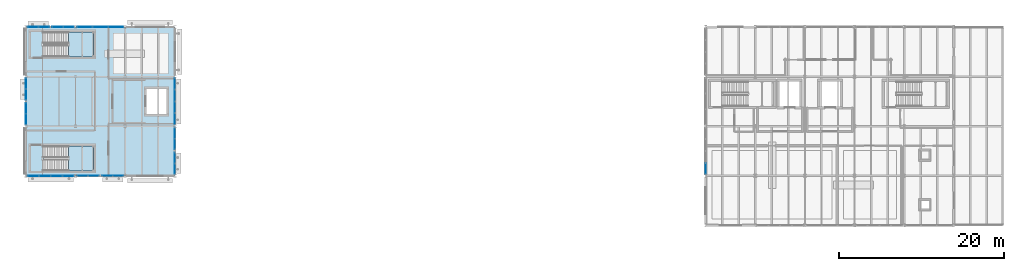
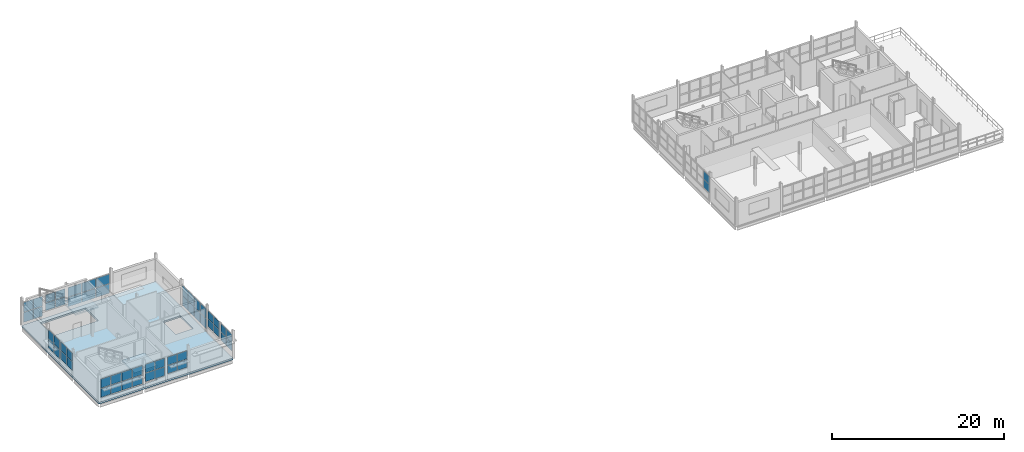
# One storey, part 12 of 23: 56 plates, 3 slabs, 14 elements without a shape of their own.
"""IFC4 building model written with IfcOpenShell, lengths in metres."""

from ifc_helpers import new_model, si_unit, direction, frame, origin, origin_2d, place, context, subcontext, project, spatial, polyline, rectangle, outline, extrude, material, layer, layer_set, type_object, element, aggregate, save


model = new_model("IFC4")

# Units and contexts
model_context = context("Model", 3, precision=1e-05, world=origin(), true_north=direction((0.0, 1.0)))
body_context = subcontext(model_context, "Body", "Model", "MODEL_VIEW")
ifc_project = project(units=[si_unit("LENGTHUNIT", "METRE"), si_unit("AREAUNIT", "SQUARE_METRE"), si_unit("VOLUMEUNIT", "CUBIC_METRE"), si_unit("PLANEANGLEUNIT", "RADIAN"), si_unit("MASSUNIT", "GRAM", prefix="KILO")], contexts=[model_context])

# Site, building, storey
site_placement = place(None, origin())
site = spatial("IfcSite", under=ifc_project, at=site_placement, CompositionType="ELEMENT")
building_placement = place(site_placement, origin())
building = spatial("IfcBuilding", under=site, at=building_placement, Name="Siltcreek Boulevard Central Fire Station", CompositionType="ELEMENT")
storey_placement = place(building_placement, frame((0.0, 0.0, 14.0)))
storey = spatial("IfcBuildingStorey", under=building, at=storey_placement, Name="L04", CompositionType="ELEMENT", Elevation=14.0)

# Curtain wall, plates
ifc_material_1 = material(Name="Anodized aluminum and low-E insulated glazing", Category="aluminium")
curtain_wall_type_1 = type_object("IfcCurtainWallType", Name="CW_SYS_28", PredefinedType="USERDEFINED", material=ifc_material_1)
curtain_wall_1_placement = place(storey_placement, origin())
curtain_wall_1 = element("IfcCurtainWall", 1, at=curtain_wall_1_placement, inside=storey, type_object=curtain_wall_type_1, Name="L04 V3 unitised curtain wall CW-057", ObjectType="CURTAIN WALL", PredefinedType="USERDEFINED")
ifc_material_2 = material(Name="Low-E double insulated glass unit", Category="glass")
ifc_layer_1 = layer(ifc_material_2, 0.028076171875, Name="Low-E double insulated glass unit")
ifc_layer_set_1 = layer_set([ifc_layer_1], Name="Low-E double insulated glass unit")
plate_type_1 = type_object("IfcPlateType", Name="CWP_GLZ_1", PredefinedType="CURTAIN_PANEL", material=ifc_layer_set_1)
plate_1_placement = place(storey_placement, frame((48.8388671875, 94.199951171875, 0.739990234375), z_axis=(0.0, 0.0, 1.0), x_axis=(1.0, 0.0, 0.0)))
plate_1 = element("IfcPlate", 2, at=plate_1_placement, type_object=plate_type_1, Name="CW-057 panel 1.1", PredefinedType="CURTAIN_PANEL", context=body_context, shape_type="SweptSolid", body=[
    extrude(rectangle(XDim=1.267578125, YDim=0.028076171875, at=origin_2d()), origin(), (0.0, 0.0, 1.0), 1.20458984375),
])
plate_2_placement = place(storey_placement, frame((48.8388671875, 94.199951171875, 2.00439453125), z_axis=(0.0, 0.0, 1.0), x_axis=(1.0, 0.0, 0.0)))
plate_2 = element("IfcPlate", 3, at=plate_2_placement, type_object=plate_type_1, Name="CW-057 panel 1.2", PredefinedType="CURTAIN_PANEL", context=body_context, shape_type="SweptSolid", body=[
    extrude(rectangle(XDim=1.267578125, YDim=0.028076171875, at=origin_2d()), origin(), (0.0, 0.0, 1.0), 1.20458984375),
])
plate_3_placement = place(storey_placement, frame((50.166259765625, 94.199951171875, 0.739990234375), z_axis=(0.0, 0.0, 1.0), x_axis=(1.0, 0.0, 0.0)))
plate_3 = element("IfcPlate", 4, at=plate_3_placement, type_object=plate_type_1, Name="CW-057 panel 2.1", PredefinedType="CURTAIN_PANEL", context=body_context, shape_type="SweptSolid", body=[
    extrude(rectangle(XDim=1.267578125, YDim=0.028076171875, at=origin_2d()), origin(), (0.0, 0.0, 1.0), 1.20458984375),
])
plate_4_placement = place(storey_placement, frame((50.166259765625, 94.199951171875, 2.00439453125), z_axis=(0.0, 0.0, 1.0), x_axis=(1.0, 0.0, 0.0)))
plate_4 = element("IfcPlate", 5, at=plate_4_placement, type_object=plate_type_1, Name="CW-057 panel 2.2", PredefinedType="CURTAIN_PANEL", context=body_context, shape_type="SweptSolid", body=[
    extrude(rectangle(XDim=1.267578125, YDim=0.028076171875, at=origin_2d()), origin(), (0.0, 0.0, 1.0), 1.20458984375),
])
aggregate(curtain_wall_1, [plate_1, plate_2, plate_3, plate_4])

curtain_wall_type_2 = type_object("IfcCurtainWallType", Name="CW_SYS_01", PredefinedType="USERDEFINED", material=ifc_material_1)
curtain_wall_2_placement = place(storey_placement, origin())
curtain_wall_2 = element("IfcCurtainWall", 6, at=curtain_wall_2_placement, inside=storey, type_object=curtain_wall_type_2, Name="L04 V3 unitised curtain wall CW-060", ObjectType="CURTAIN WALL", PredefinedType="USERDEFINED")
plate_5_placement = place(storey_placement, frame((44.1650390625, 112.199951171875, 0.385009765625), z_axis=(0.0, 0.0, 1.0), x_axis=(-1.0, 0.0, 0.0)))
plate_5 = element("IfcPlate", 7, at=plate_5_placement, type_object=plate_type_1, Name="CW-060 panel 1.1", PredefinedType="CURTAIN_PANEL", context=body_context, shape_type="SweptSolid", body=[
    extrude(rectangle(XDim=1.260009765625, YDim=0.028076171875, at=origin_2d()), origin(), (0.0, 0.0, 1.0), 1.376953125),
])
plate_6_placement = place(storey_placement, frame((44.1650390625, 112.199951171875, 1.826904296875), z_axis=(0.0, 0.0, 1.0), x_axis=(-1.0, 0.0, 0.0)))
plate_6 = element("IfcPlate", 8, at=plate_6_placement, type_object=plate_type_1, Name="CW-060 panel 1.2", PredefinedType="CURTAIN_PANEL", context=body_context, shape_type="SweptSolid", body=[
    extrude(rectangle(XDim=1.260009765625, YDim=0.028076171875, at=origin_2d()), origin(), (0.0, 0.0, 1.0), 1.376953125),
])
plate_7_placement = place(storey_placement, frame((42.840087890625, 112.199951171875, 0.385009765625), z_axis=(0.0, 0.0, 1.0), x_axis=(-1.0, 0.0, 0.0)))
plate_7 = element("IfcPlate", 9, at=plate_7_placement, type_object=plate_type_1, Name="CW-060 panel 2.1", PredefinedType="CURTAIN_PANEL", context=body_context, shape_type="SweptSolid", body=[
    extrude(rectangle(XDim=1.260009765625, YDim=0.028076171875, at=origin_2d()), origin(), (0.0, 0.0, 1.0), 1.376953125),
])
plate_8_placement = place(storey_placement, frame((42.840087890625, 112.199951171875, 1.826904296875), z_axis=(0.0, 0.0, 1.0), x_axis=(-1.0, 0.0, 0.0)))
plate_8 = element("IfcPlate", 10, at=plate_8_placement, type_object=plate_type_1, Name="CW-060 panel 2.2", PredefinedType="CURTAIN_PANEL", context=body_context, shape_type="SweptSolid", body=[
    extrude(rectangle(XDim=1.260009765625, YDim=0.028076171875, at=origin_2d()), origin(), (0.0, 0.0, 1.0), 1.376953125),
])
aggregate(curtain_wall_2, [plate_5, plate_6, plate_7, plate_8])

curtain_wall_type_3 = type_object("IfcCurtainWallType", Name="CW_SYS_04", PredefinedType="USERDEFINED", material=ifc_material_1)
curtain_wall_3_placement = place(storey_placement, origin())
curtain_wall_3 = element("IfcCurtainWall", 11, at=curtain_wall_3_placement, inside=storey, type_object=curtain_wall_type_3, Name="L04 V3 unitised curtain wall CW-063", ObjectType="CURTAIN WALL", PredefinedType="USERDEFINED")
plate_9_placement = place(storey_placement, frame((42.0, 102.3662109375, 0.739990234375), z_axis=(0.0, 0.0, 1.0), x_axis=(0.0, -1.0, 0.0)))
plate_9 = element("IfcPlate", 12, at=plate_9_placement, type_object=plate_type_1, Name="CW-063 panel 1.1", PredefinedType="CURTAIN_PANEL", context=body_context, shape_type="SweptSolid", body=[
    extrude(rectangle(XDim=1.267578125, YDim=0.028076171875, at=origin_2d()), origin(), (0.0, 0.0, 1.0), 1.20654296875),
])
plate_10_placement = place(storey_placement, frame((42.0, 102.3662109375, 2.006591796875), z_axis=(0.0, 0.0, 1.0), x_axis=(0.0, -1.0, 0.0)))
plate_10 = element("IfcPlate", 13, at=plate_10_placement, type_object=plate_type_1, Name="CW-063 panel 1.2", PredefinedType="CURTAIN_PANEL", context=body_context, shape_type="SweptSolid", body=[
    extrude(rectangle(XDim=1.267578125, YDim=0.028076171875, at=origin_2d()), origin(), (0.0, 0.0, 1.0), 1.20654296875),
])
plate_11_placement = place(storey_placement, frame((42.0, 101.038818359375, 0.739990234375), z_axis=(0.0, 0.0, 1.0), x_axis=(0.0, -1.0, 0.0)))
plate_11 = element("IfcPlate", 14, at=plate_11_placement, type_object=plate_type_1, Name="CW-063 panel 2.1", PredefinedType="CURTAIN_PANEL", context=body_context, shape_type="SweptSolid", body=[
    extrude(rectangle(XDim=1.267578125, YDim=0.028076171875, at=origin_2d()), origin(), (0.0, 0.0, 1.0), 1.20654296875),
])
plate_12_placement = place(storey_placement, frame((42.0, 101.038818359375, 2.006591796875), z_axis=(0.0, 0.0, 1.0), x_axis=(0.0, -1.0, 0.0)))
plate_12 = element("IfcPlate", 15, at=plate_12_placement, type_object=plate_type_1, Name="CW-063 panel 2.2", PredefinedType="CURTAIN_PANEL", context=body_context, shape_type="SweptSolid", body=[
    extrude(rectangle(XDim=1.267578125, YDim=0.028076171875, at=origin_2d()), origin(), (0.0, 0.0, 1.0), 1.20654296875),
])
aggregate(curtain_wall_3, [plate_9, plate_10, plate_11, plate_12])

curtain_wall_type_4 = type_object("IfcCurtainWallType", Name="CW_SYS_07", PredefinedType="USERDEFINED", material=ifc_material_1)
curtain_wall_4_placement = place(storey_placement, origin())
curtain_wall_4 = element("IfcCurtainWall", 16, at=curtain_wall_4_placement, inside=storey, type_object=curtain_wall_type_4, Name="L04 V3 unitised curtain wall CW-066", ObjectType="CURTAIN WALL", PredefinedType="USERDEFINED")
plate_13_placement = place(storey_placement, frame((60.0, 101.074951171875, 0.385009765625), z_axis=(0.0, 0.0, 1.0), x_axis=(0.0, 1.0, 0.0)))
plate_13 = element("IfcPlate", 17, at=plate_13_placement, type_object=plate_type_1, Name="CW-066 panel 1.1", PredefinedType="CURTAIN_PANEL", context=body_context, shape_type="SweptSolid", body=[
    extrude(rectangle(XDim=1.330078125, YDim=0.028076171875, at=origin_2d()), origin(), (0.0, 0.0, 1.0), 1.37890625),
])
plate_14_placement = place(storey_placement, frame((60.0, 101.074951171875, 1.8291015625), z_axis=(0.0, 0.0, 1.0), x_axis=(0.0, 1.0, 0.0)))
plate_14 = element("IfcPlate", 18, at=plate_14_placement, type_object=plate_type_1, Name="CW-066 panel 1.2", PredefinedType="CURTAIN_PANEL", context=body_context, shape_type="SweptSolid", body=[
    extrude(rectangle(XDim=1.330078125, YDim=0.028076171875, at=origin_2d()), origin(), (0.0, 0.0, 1.0), 1.37890625),
])
plate_15_placement = place(storey_placement, frame((60.0, 102.486328125, 0.385009765625), z_axis=(0.0, 0.0, 1.0), x_axis=(0.0, 1.0, 0.0)))
plate_15 = element("IfcPlate", 19, at=plate_15_placement, type_object=plate_type_1, Name="CW-066 panel 2.1", PredefinedType="CURTAIN_PANEL", context=body_context, shape_type="SweptSolid", body=[
    extrude(rectangle(XDim=1.362548828125, YDim=0.028076171875, at=origin_2d()), origin(), (0.0, 0.0, 1.0), 1.37890625),
])
plate_16_placement = place(storey_placement, frame((60.0, 102.486328125, 1.8291015625), z_axis=(0.0, 0.0, 1.0), x_axis=(0.0, 1.0, 0.0)))
plate_16 = element("IfcPlate", 20, at=plate_16_placement, type_object=plate_type_1, Name="CW-066 panel 2.2", PredefinedType="CURTAIN_PANEL", context=body_context, shape_type="SweptSolid", body=[
    extrude(rectangle(XDim=1.362548828125, YDim=0.028076171875, at=origin_2d()), origin(), (0.0, 0.0, 1.0), 1.37890625),
])
plate_17_placement = place(storey_placement, frame((60.0, 103.913818359375, 0.385009765625), z_axis=(0.0, 0.0, 1.0), x_axis=(0.0, 1.0, 0.0)))
plate_17 = element("IfcPlate", 21, at=plate_17_placement, type_object=plate_type_1, Name="CW-066 panel 3.1", PredefinedType="CURTAIN_PANEL", context=body_context, shape_type="SweptSolid", body=[
    extrude(rectangle(XDim=1.362548828125, YDim=0.028076171875, at=origin_2d()), origin(), (0.0, 0.0, 1.0), 1.37890625),
])
plate_18_placement = place(storey_placement, frame((60.0, 103.913818359375, 1.8291015625), z_axis=(0.0, 0.0, 1.0), x_axis=(0.0, 1.0, 0.0)))
plate_18 = element("IfcPlate", 22, at=plate_18_placement, type_object=plate_type_1, Name="CW-066 panel 3.2", PredefinedType="CURTAIN_PANEL", context=body_context, shape_type="SweptSolid", body=[
    extrude(rectangle(XDim=1.362548828125, YDim=0.028076171875, at=origin_2d()), origin(), (0.0, 0.0, 1.0), 1.37890625),
])
plate_19_placement = place(storey_placement, frame((60.0, 105.324951171875, 0.385009765625), z_axis=(0.0, 0.0, 1.0), x_axis=(0.0, 1.0, 0.0)))
plate_19 = element("IfcPlate", 23, at=plate_19_placement, type_object=plate_type_1, Name="CW-066 panel 4.1", PredefinedType="CURTAIN_PANEL", context=body_context, shape_type="SweptSolid", body=[
    extrude(rectangle(XDim=1.330078125, YDim=0.028076171875, at=origin_2d()), origin(), (0.0, 0.0, 1.0), 1.37890625),
])
plate_20_placement = place(storey_placement, frame((60.0, 105.324951171875, 1.8291015625), z_axis=(0.0, 0.0, 1.0), x_axis=(0.0, 1.0, 0.0)))
plate_20 = element("IfcPlate", 24, at=plate_20_placement, type_object=plate_type_1, Name="CW-066 panel 4.2", PredefinedType="CURTAIN_PANEL", context=body_context, shape_type="SweptSolid", body=[
    extrude(rectangle(XDim=1.330078125, YDim=0.028076171875, at=origin_2d()), origin(), (0.0, 0.0, 1.0), 1.37890625),
])
aggregate(curtain_wall_4, [plate_13, plate_14, plate_15, plate_16, plate_17, plate_18, plate_19, plate_20])

curtain_wall_type_5 = type_object("IfcCurtainWallType", Name="CW_SYS_29", PredefinedType="USERDEFINED", material=ifc_material_1)
curtain_wall_5_placement = place(storey_placement, origin())
curtain_wall_5 = element("IfcCurtainWall", 25, at=curtain_wall_5_placement, inside=storey, type_object=curtain_wall_type_5, Name="L04 V3 unitised curtain wall CW-058", ObjectType="CURTAIN WALL", PredefinedType="USERDEFINED")
ifc_layer_2 = layer(ifc_material_2, 0.0380859375, Name="Low-E double insulated glass unit")
ifc_layer_set_2 = layer_set([ifc_layer_2], Name="Low-E double insulated glass unit")
plate_type_2 = type_object("IfcPlateType", Name="CWP_GLZ_2", PredefinedType="CURTAIN_PANEL", material=ifc_layer_set_2)
plate_21_placement = place(storey_placement, frame((51.8349609375, 94.199951171875, 0.865234375), z_axis=(0.0, 0.0, 1.0), x_axis=(1.0, 0.0, 0.0)))
plate_21 = element("IfcPlate", 26, at=plate_21_placement, type_object=plate_type_2, Name="CW-058 panel 1.1", PredefinedType="CURTAIN_PANEL", context=body_context, shape_type="SweptSolid", body=[
    extrude(rectangle(XDim=1.260009765625, YDim=0.0380859375, at=origin_2d()), origin(), (0.0, 0.0, 1.0), 1.136962890625),
])
plate_22_placement = place(storey_placement, frame((51.8349609375, 94.199951171875, 2.06689453125), z_axis=(0.0, 0.0, 1.0), x_axis=(1.0, 0.0, 0.0)))
plate_22 = element("IfcPlate", 27, at=plate_22_placement, type_object=plate_type_2, Name="CW-058 panel 1.2", PredefinedType="CURTAIN_PANEL", context=body_context, shape_type="SweptSolid", body=[
    extrude(rectangle(XDim=1.260009765625, YDim=0.0380859375, at=origin_2d()), origin(), (0.0, 0.0, 1.0), 1.136962890625),
])
plate_23_placement = place(storey_placement, frame((53.159912109375, 94.199951171875, 0.865234375), z_axis=(0.0, 0.0, 1.0), x_axis=(1.0, 0.0, 0.0)))
plate_23 = element("IfcPlate", 28, at=plate_23_placement, type_object=plate_type_2, Name="CW-058 panel 2.1", PredefinedType="CURTAIN_PANEL", context=body_context, shape_type="SweptSolid", body=[
    extrude(rectangle(XDim=1.260009765625, YDim=0.0380859375, at=origin_2d()), origin(), (0.0, 0.0, 1.0), 1.136962890625),
])
plate_24_placement = place(storey_placement, frame((53.159912109375, 94.199951171875, 2.06689453125), z_axis=(0.0, 0.0, 1.0), x_axis=(1.0, 0.0, 0.0)))
plate_24 = element("IfcPlate", 29, at=plate_24_placement, type_object=plate_type_2, Name="CW-058 panel 2.2", PredefinedType="CURTAIN_PANEL", context=body_context, shape_type="SweptSolid", body=[
    extrude(rectangle(XDim=1.260009765625, YDim=0.0380859375, at=origin_2d()), origin(), (0.0, 0.0, 1.0), 1.136962890625),
])
aggregate(curtain_wall_5, [plate_21, plate_22, plate_23, plate_24])

curtain_wall_type_6 = type_object("IfcCurtainWallType", Name="CW_SYS_02", PredefinedType="USERDEFINED", material=ifc_material_1)
curtain_wall_6_placement = place(storey_placement, origin())
curtain_wall_6 = element("IfcCurtainWall", 30, at=curtain_wall_6_placement, inside=storey, type_object=curtain_wall_type_6, Name="L04 V3 unitised curtain wall CW-061", ObjectType="CURTAIN WALL", PredefinedType="USERDEFINED")
plate_25_placement = place(storey_placement, frame((52.888427734375, 112.199951171875, 0.5), z_axis=(0.0, 0.0, 1.0), x_axis=(-1.0, 0.0, 0.0)))
plate_25 = element("IfcPlate", 31, at=plate_25_placement, type_object=plate_type_2, Name="CW-061 panel 1.1", PredefinedType="CURTAIN_PANEL", context=body_context, shape_type="SweptSolid", body=[
    extrude(rectangle(XDim=1.813232421875, YDim=0.0380859375, at=origin_2d()), origin(), (0.0, 0.0, 1.0), 1.324462890625),
])
plate_26_placement = place(storey_placement, frame((52.888427734375, 112.199951171875, 1.88427734375), z_axis=(0.0, 0.0, 1.0), x_axis=(-1.0, 0.0, 0.0)))
plate_26 = element("IfcPlate", 32, at=plate_26_placement, type_object=plate_type_2, Name="CW-061 panel 1.2", PredefinedType="CURTAIN_PANEL", context=body_context, shape_type="SweptSolid", body=[
    extrude(rectangle(XDim=1.813232421875, YDim=0.0380859375, at=origin_2d()), origin(), (0.0, 0.0, 1.0), 1.324462890625),
])
plate_27_placement = place(storey_placement, frame((51.0, 112.199951171875, 0.5), z_axis=(0.0, 0.0, 1.0), x_axis=(-1.0, 0.0, 0.0)))
plate_27 = element("IfcPlate", 33, at=plate_27_placement, type_object=plate_type_2, Name="CW-061 panel 2.1", PredefinedType="CURTAIN_PANEL", context=body_context, shape_type="SweptSolid", body=[
    extrude(rectangle(XDim=1.84326171875, YDim=0.0380859375, at=origin_2d()), origin(), (0.0, 0.0, 1.0), 1.324462890625),
])
plate_28_placement = place(storey_placement, frame((51.0, 112.199951171875, 1.88427734375), z_axis=(0.0, 0.0, 1.0), x_axis=(-1.0, 0.0, 0.0)))
plate_28 = element("IfcPlate", 34, at=plate_28_placement, type_object=plate_type_2, Name="CW-061 panel 2.2", PredefinedType="CURTAIN_PANEL", context=body_context, shape_type="SweptSolid", body=[
    extrude(rectangle(XDim=1.84326171875, YDim=0.0380859375, at=origin_2d()), origin(), (0.0, 0.0, 1.0), 1.324462890625),
])
plate_29_placement = place(storey_placement, frame((49.111572265625, 112.199951171875, 0.5), z_axis=(0.0, 0.0, 1.0), x_axis=(-1.0, 0.0, 0.0)))
plate_29 = element("IfcPlate", 35, at=plate_29_placement, type_object=plate_type_2, Name="CW-061 panel 3.1", PredefinedType="CURTAIN_PANEL", context=body_context, shape_type="SweptSolid", body=[
    extrude(rectangle(XDim=1.813232421875, YDim=0.0380859375, at=origin_2d()), origin(), (0.0, 0.0, 1.0), 1.324462890625),
])
plate_30_placement = place(storey_placement, frame((49.111572265625, 112.199951171875, 1.88427734375), z_axis=(0.0, 0.0, 1.0), x_axis=(-1.0, 0.0, 0.0)))
plate_30 = element("IfcPlate", 36, at=plate_30_placement, type_object=plate_type_2, Name="CW-061 panel 3.2", PredefinedType="CURTAIN_PANEL", context=body_context, shape_type="SweptSolid", body=[
    extrude(rectangle(XDim=1.813232421875, YDim=0.0380859375, at=origin_2d()), origin(), (0.0, 0.0, 1.0), 1.324462890625),
])
aggregate(curtain_wall_6, [plate_25, plate_26, plate_27, plate_28, plate_29, plate_30])

curtain_wall_type_7 = type_object("IfcCurtainWallType", Name="CW_SYS_05", PredefinedType="USERDEFINED", material=ifc_material_1)
curtain_wall_7_placement = place(storey_placement, origin())
curtain_wall_7 = element("IfcCurtainWall", 37, at=curtain_wall_7_placement, inside=storey, type_object=curtain_wall_type_7, Name="L04 V3 unitised curtain wall CW-064", ObjectType="CURTAIN WALL", PredefinedType="USERDEFINED")
plate_31_placement = place(storey_placement, frame((60.0, 95.0400390625, 0.865234375), z_axis=(0.0, 0.0, 1.0), x_axis=(0.0, 1.0, 0.0)))
plate_31 = element("IfcPlate", 38, at=plate_31_placement, type_object=plate_type_2, Name="CW-064 panel 1.1", PredefinedType="CURTAIN_PANEL", context=body_context, shape_type="SweptSolid", body=[
    extrude(rectangle(XDim=1.260009765625, YDim=0.0380859375, at=origin_2d()), origin(), (0.0, 0.0, 1.0), 1.138916015625),
])
plate_32_placement = place(storey_placement, frame((60.0, 95.0400390625, 2.06884765625), z_axis=(0.0, 0.0, 1.0), x_axis=(0.0, 1.0, 0.0)))
plate_32 = element("IfcPlate", 39, at=plate_32_placement, type_object=plate_type_2, Name="CW-064 panel 1.2", PredefinedType="CURTAIN_PANEL", context=body_context, shape_type="SweptSolid", body=[
    extrude(rectangle(XDim=1.260009765625, YDim=0.0380859375, at=origin_2d()), origin(), (0.0, 0.0, 1.0), 1.138916015625),
])
plate_33_placement = place(storey_placement, frame((60.0, 96.364990234375, 0.865234375), z_axis=(0.0, 0.0, 1.0), x_axis=(0.0, 1.0, 0.0)))
plate_33 = element("IfcPlate", 40, at=plate_33_placement, type_object=plate_type_2, Name="CW-064 panel 2.1", PredefinedType="CURTAIN_PANEL", context=body_context, shape_type="SweptSolid", body=[
    extrude(rectangle(XDim=1.260009765625, YDim=0.0380859375, at=origin_2d()), origin(), (0.0, 0.0, 1.0), 1.138916015625),
])
plate_34_placement = place(storey_placement, frame((60.0, 96.364990234375, 2.06884765625), z_axis=(0.0, 0.0, 1.0), x_axis=(0.0, 1.0, 0.0)))
plate_34 = element("IfcPlate", 41, at=plate_34_placement, type_object=plate_type_2, Name="CW-064 panel 2.2", PredefinedType="CURTAIN_PANEL", context=body_context, shape_type="SweptSolid", body=[
    extrude(rectangle(XDim=1.260009765625, YDim=0.0380859375, at=origin_2d()), origin(), (0.0, 0.0, 1.0), 1.138916015625),
])
aggregate(curtain_wall_7, [plate_31, plate_32, plate_33, plate_34])

curtain_wall_type_8 = type_object("IfcCurtainWallType", Name="CW_SYS_23", PredefinedType="USERDEFINED", material=ifc_material_1)
curtain_wall_8_placement = place(storey_placement, origin())
curtain_wall_8 = element("IfcCurtainWall", 42, at=curtain_wall_8_placement, inside=storey, type_object=curtain_wall_type_8, Name="L04 V5 unitised curtain wall CW-172", ObjectType="CURTAIN WALL", PredefinedType="USERDEFINED")
plate_35_placement = place(storey_placement, frame((124.199951171875, 95.074951171875, 0.865234375), z_axis=(0.0, 0.0, 1.0), x_axis=(0.0, -1.0, 0.0)))
plate_35 = element("IfcPlate", 43, at=plate_35_placement, type_object=plate_type_2, Name="CW-172 panel 4.1", PredefinedType="CURTAIN_PANEL", context=body_context, shape_type="SweptSolid", body=[
    extrude(rectangle(XDim=1.330078125, YDim=0.0380859375, at=origin_2d()), origin(), (0.0, 0.0, 1.0), 1.138916015625),
])
plate_36_placement = place(storey_placement, frame((124.199951171875, 95.074951171875, 2.06884765625), z_axis=(0.0, 0.0, 1.0), x_axis=(0.0, -1.0, 0.0)))
plate_36 = element("IfcPlate", 44, at=plate_36_placement, type_object=plate_type_2, Name="CW-172 panel 4.2", PredefinedType="CURTAIN_PANEL", context=body_context, shape_type="SweptSolid", body=[
    extrude(rectangle(XDim=1.330078125, YDim=0.0380859375, at=origin_2d()), origin(), (0.0, 0.0, 1.0), 1.138916015625),
])
aggregate(curtain_wall_8, [plate_35, plate_36])

curtain_wall_type_9 = type_object("IfcCurtainWallType", Name="CW_SYS_27", PredefinedType="USERDEFINED", material=ifc_material_1)
curtain_wall_9_placement = place(storey_placement, origin())
curtain_wall_9 = element("IfcCurtainWall", 45, at=curtain_wall_9_placement, inside=storey, type_object=curtain_wall_type_9, Name="L04 V3 unitised curtain wall CW-056", ObjectType="CURTAIN WALL", PredefinedType="USERDEFINED")
ifc_layer_3 = layer(ifc_material_2, 0.048095703125, Name="Low-E double insulated glass unit")
ifc_layer_set_3 = layer_set([ifc_layer_3], Name="Low-E double insulated glass unit")
plate_type_3 = type_object("IfcPlateType", Name="CWP_GLZ_3", PredefinedType="CURTAIN_PANEL", material=ifc_layer_set_3)
plate_37_placement = place(storey_placement, frame((42.875, 94.199951171875, 0.625), z_axis=(0.0, 0.0, 1.0), x_axis=(1.0, 0.0, 0.0)))
plate_37 = element("IfcPlate", 46, at=plate_37_placement, type_object=plate_type_3, Name="CW-056 panel 1.1", PredefinedType="CURTAIN_PANEL", context=body_context, shape_type="SweptSolid", body=[
    extrude(rectangle(XDim=1.330078125, YDim=0.048095703125, at=origin_2d()), origin(), (0.0, 0.0, 1.0), 1.257080078125),
])
plate_38_placement = place(storey_placement, frame((42.875, 94.199951171875, 1.94677734375), z_axis=(0.0, 0.0, 1.0), x_axis=(1.0, 0.0, 0.0)))
plate_38 = element("IfcPlate", 47, at=plate_38_placement, type_object=plate_type_3, Name="CW-056 panel 1.2", PredefinedType="CURTAIN_PANEL", context=body_context, shape_type="SweptSolid", body=[
    extrude(rectangle(XDim=1.330078125, YDim=0.048095703125, at=origin_2d()), origin(), (0.0, 0.0, 1.0), 1.257080078125),
])
plate_39_placement = place(storey_placement, frame((44.2861328125, 94.199951171875, 0.625), z_axis=(0.0, 0.0, 1.0), x_axis=(1.0, 0.0, 0.0)))
plate_39 = element("IfcPlate", 48, at=plate_39_placement, type_object=plate_type_3, Name="CW-056 panel 2.1", PredefinedType="CURTAIN_PANEL", context=body_context, shape_type="SweptSolid", body=[
    extrude(rectangle(XDim=1.362548828125, YDim=0.048095703125, at=origin_2d()), origin(), (0.0, 0.0, 1.0), 1.257080078125),
])
plate_40_placement = place(storey_placement, frame((44.2861328125, 94.199951171875, 1.94677734375), z_axis=(0.0, 0.0, 1.0), x_axis=(1.0, 0.0, 0.0)))
plate_40 = element("IfcPlate", 49, at=plate_40_placement, type_object=plate_type_3, Name="CW-056 panel 2.2", PredefinedType="CURTAIN_PANEL", context=body_context, shape_type="SweptSolid", body=[
    extrude(rectangle(XDim=1.362548828125, YDim=0.048095703125, at=origin_2d()), origin(), (0.0, 0.0, 1.0), 1.257080078125),
])
plate_41_placement = place(storey_placement, frame((45.7138671875, 94.199951171875, 0.625), z_axis=(0.0, 0.0, 1.0), x_axis=(1.0, 0.0, 0.0)))
plate_41 = element("IfcPlate", 50, at=plate_41_placement, type_object=plate_type_3, Name="CW-056 panel 3.1", PredefinedType="CURTAIN_PANEL", context=body_context, shape_type="SweptSolid", body=[
    extrude(rectangle(XDim=1.362548828125, YDim=0.048095703125, at=origin_2d()), origin(), (0.0, 0.0, 1.0), 1.257080078125),
])
plate_42_placement = place(storey_placement, frame((45.7138671875, 94.199951171875, 1.94677734375), z_axis=(0.0, 0.0, 1.0), x_axis=(1.0, 0.0, 0.0)))
plate_42 = element("IfcPlate", 51, at=plate_42_placement, type_object=plate_type_3, Name="CW-056 panel 3.2", PredefinedType="CURTAIN_PANEL", context=body_context, shape_type="SweptSolid", body=[
    extrude(rectangle(XDim=1.362548828125, YDim=0.048095703125, at=origin_2d()), origin(), (0.0, 0.0, 1.0), 1.257080078125),
])
plate_43_placement = place(storey_placement, frame((47.125, 94.199951171875, 0.625), z_axis=(0.0, 0.0, 1.0), x_axis=(1.0, 0.0, 0.0)))
plate_43 = element("IfcPlate", 52, at=plate_43_placement, type_object=plate_type_3, Name="CW-056 panel 4.1", PredefinedType="CURTAIN_PANEL", context=body_context, shape_type="SweptSolid", body=[
    extrude(rectangle(XDim=1.330078125, YDim=0.048095703125, at=origin_2d()), origin(), (0.0, 0.0, 1.0), 1.257080078125),
])
plate_44_placement = place(storey_placement, frame((47.125, 94.199951171875, 1.94677734375), z_axis=(0.0, 0.0, 1.0), x_axis=(1.0, 0.0, 0.0)))
plate_44 = element("IfcPlate", 53, at=plate_44_placement, type_object=plate_type_3, Name="CW-056 panel 4.2", PredefinedType="CURTAIN_PANEL", context=body_context, shape_type="SweptSolid", body=[
    extrude(rectangle(XDim=1.330078125, YDim=0.048095703125, at=origin_2d()), origin(), (0.0, 0.0, 1.0), 1.257080078125),
])
aggregate(curtain_wall_9, [plate_37, plate_38, plate_39, plate_40, plate_41, plate_42, plate_43, plate_44])

curtain_wall_type_10 = type_object("IfcCurtainWallType", Name="CW_SYS_30", PredefinedType="USERDEFINED", material=ifc_material_1)
curtain_wall_10_placement = place(storey_placement, origin())
curtain_wall_10 = element("IfcCurtainWall", 54, at=curtain_wall_10_placement, inside=storey, type_object=curtain_wall_type_10, Name="L04 V3 unitised curtain wall CW-059", ObjectType="CURTAIN WALL", PredefinedType="USERDEFINED")
plate_45_placement = place(storey_placement, frame((47.1611328125, 112.199951171875, 0.97998046875), z_axis=(0.0, 0.0, 1.0), x_axis=(-1.0, 0.0, 0.0)))
plate_45 = element("IfcPlate", 55, at=plate_45_placement, type_object=plate_type_3, Name="CW-059 panel 1.1", PredefinedType="CURTAIN_PANEL", context=body_context, shape_type="SweptSolid", body=[
    extrude(rectangle(XDim=1.267578125, YDim=0.048095703125, at=origin_2d()), origin(), (0.0, 0.0, 1.0), 1.08447265625),
])
plate_46_placement = place(storey_placement, frame((47.1611328125, 112.199951171875, 2.12451171875), z_axis=(0.0, 0.0, 1.0), x_axis=(-1.0, 0.0, 0.0)))
plate_46 = element("IfcPlate", 56, at=plate_46_placement, type_object=plate_type_3, Name="CW-059 panel 1.2", PredefinedType="CURTAIN_PANEL", context=body_context, shape_type="SweptSolid", body=[
    extrude(rectangle(XDim=1.267578125, YDim=0.048095703125, at=origin_2d()), origin(), (0.0, 0.0, 1.0), 1.08447265625),
])
plate_47_placement = place(storey_placement, frame((45.833740234375, 112.199951171875, 0.97998046875), z_axis=(0.0, 0.0, 1.0), x_axis=(-1.0, 0.0, 0.0)))
plate_47 = element("IfcPlate", 57, at=plate_47_placement, type_object=plate_type_3, Name="CW-059 panel 2.1", PredefinedType="CURTAIN_PANEL", context=body_context, shape_type="SweptSolid", body=[
    extrude(rectangle(XDim=1.267578125, YDim=0.048095703125, at=origin_2d()), origin(), (0.0, 0.0, 1.0), 1.08447265625),
])
plate_48_placement = place(storey_placement, frame((45.833740234375, 112.199951171875, 2.12451171875), z_axis=(0.0, 0.0, 1.0), x_axis=(-1.0, 0.0, 0.0)))
plate_48 = element("IfcPlate", 58, at=plate_48_placement, type_object=plate_type_3, Name="CW-059 panel 2.2", PredefinedType="CURTAIN_PANEL", context=body_context, shape_type="SweptSolid", body=[
    extrude(rectangle(XDim=1.267578125, YDim=0.048095703125, at=origin_2d()), origin(), (0.0, 0.0, 1.0), 1.08447265625),
])
aggregate(curtain_wall_10, [plate_45, plate_46, plate_47, plate_48])

curtain_wall_type_11 = type_object("IfcCurtainWallType", Name="CW_SYS_03", PredefinedType="USERDEFINED", material=ifc_material_1)
curtain_wall_11_placement = place(storey_placement, origin())
curtain_wall_11 = element("IfcCurtainWall", 59, at=curtain_wall_11_placement, inside=storey, type_object=curtain_wall_type_11, Name="L04 V3 unitised curtain wall CW-062", ObjectType="CURTAIN WALL", PredefinedType="USERDEFINED")
plate_49_placement = place(storey_placement, frame((42.0, 105.360107421875, 0.625), z_axis=(0.0, 0.0, 1.0), x_axis=(0.0, -1.0, 0.0)))
plate_49 = element("IfcPlate", 60, at=plate_49_placement, type_object=plate_type_3, Name="CW-062 panel 1.1", PredefinedType="CURTAIN_PANEL", context=body_context, shape_type="SweptSolid", body=[
    extrude(rectangle(XDim=1.260009765625, YDim=0.048095703125, at=origin_2d()), origin(), (0.0, 0.0, 1.0), 1.259033203125),
])
plate_50_placement = place(storey_placement, frame((42.0, 105.360107421875, 1.94921875), z_axis=(0.0, 0.0, 1.0), x_axis=(0.0, -1.0, 0.0)))
plate_50 = element("IfcPlate", 61, at=plate_50_placement, type_object=plate_type_3, Name="CW-062 panel 1.2", PredefinedType="CURTAIN_PANEL", context=body_context, shape_type="SweptSolid", body=[
    extrude(rectangle(XDim=1.260009765625, YDim=0.048095703125, at=origin_2d()), origin(), (0.0, 0.0, 1.0), 1.259033203125),
])
plate_51_placement = place(storey_placement, frame((42.0, 104.034912109375, 0.625), z_axis=(0.0, 0.0, 1.0), x_axis=(0.0, -1.0, 0.0)))
plate_51 = element("IfcPlate", 62, at=plate_51_placement, type_object=plate_type_3, Name="CW-062 panel 2.1", PredefinedType="CURTAIN_PANEL", context=body_context, shape_type="SweptSolid", body=[
    extrude(rectangle(XDim=1.260009765625, YDim=0.048095703125, at=origin_2d()), origin(), (0.0, 0.0, 1.0), 1.259033203125),
])
plate_52_placement = place(storey_placement, frame((42.0, 104.034912109375, 1.94921875), z_axis=(0.0, 0.0, 1.0), x_axis=(0.0, -1.0, 0.0)))
plate_52 = element("IfcPlate", 63, at=plate_52_placement, type_object=plate_type_3, Name="CW-062 panel 2.2", PredefinedType="CURTAIN_PANEL", context=body_context, shape_type="SweptSolid", body=[
    extrude(rectangle(XDim=1.260009765625, YDim=0.048095703125, at=origin_2d()), origin(), (0.0, 0.0, 1.0), 1.259033203125),
])
aggregate(curtain_wall_11, [plate_49, plate_50, plate_51, plate_52])

curtain_wall_type_12 = type_object("IfcCurtainWallType", Name="CW_SYS_06", PredefinedType="USERDEFINED", material=ifc_material_1)
curtain_wall_12_placement = place(storey_placement, origin())
curtain_wall_12 = element("IfcCurtainWall", 64, at=curtain_wall_12_placement, inside=storey, type_object=curtain_wall_type_12, Name="L04 V3 unitised curtain wall CW-065", ObjectType="CURTAIN WALL", PredefinedType="USERDEFINED")
plate_53_placement = place(storey_placement, frame((60.0, 98.03369140625, 0.97998046875), z_axis=(0.0, 0.0, 1.0), x_axis=(0.0, 1.0, 0.0)))
plate_53 = element("IfcPlate", 65, at=plate_53_placement, type_object=plate_type_3, Name="CW-065 panel 1.1", PredefinedType="CURTAIN_PANEL", context=body_context, shape_type="SweptSolid", body=[
    extrude(rectangle(XDim=1.267578125, YDim=0.048095703125, at=origin_2d()), origin(), (0.0, 0.0, 1.0), 1.08642578125),
])
plate_54_placement = place(storey_placement, frame((60.0, 98.03369140625, 2.12646484375), z_axis=(0.0, 0.0, 1.0), x_axis=(0.0, 1.0, 0.0)))
plate_54 = element("IfcPlate", 66, at=plate_54_placement, type_object=plate_type_3, Name="CW-065 panel 1.2", PredefinedType="CURTAIN_PANEL", context=body_context, shape_type="SweptSolid", body=[
    extrude(rectangle(XDim=1.267578125, YDim=0.048095703125, at=origin_2d()), origin(), (0.0, 0.0, 1.0), 1.08642578125),
])
plate_55_placement = place(storey_placement, frame((60.0, 99.361328125, 0.97998046875), z_axis=(0.0, 0.0, 1.0), x_axis=(0.0, 1.0, 0.0)))
plate_55 = element("IfcPlate", 67, at=plate_55_placement, type_object=plate_type_3, Name="CW-065 panel 2.1", PredefinedType="CURTAIN_PANEL", context=body_context, shape_type="SweptSolid", body=[
    extrude(rectangle(XDim=1.267578125, YDim=0.048095703125, at=origin_2d()), origin(), (0.0, 0.0, 1.0), 1.08642578125),
])
plate_56_placement = place(storey_placement, frame((60.0, 99.361328125, 2.12646484375), z_axis=(0.0, 0.0, 1.0), x_axis=(0.0, 1.0, 0.0)))
plate_56 = element("IfcPlate", 68, at=plate_56_placement, type_object=plate_type_3, Name="CW-065 panel 2.2", PredefinedType="CURTAIN_PANEL", context=body_context, shape_type="SweptSolid", body=[
    extrude(rectangle(XDim=1.267578125, YDim=0.048095703125, at=origin_2d()), origin(), (0.0, 0.0, 1.0), 1.08642578125),
])
aggregate(curtain_wall_12, [plate_53, plate_54, plate_55, plate_56])

# Slab
ifc_material_3 = material(Name="Concrete C35/45", Category="concrete")
ifc_layer_4 = layer(ifc_material_3, 0.260009765625, Name="Concrete C35/45")
ifc_layer_set_4 = layer_set([ifc_layer_4], Name="Concrete C35/45")
slab_type_1 = type_object("IfcSlabType", Name="SL_FLR260", PredefinedType="FLOOR", material=ifc_layer_set_4)
slab_1_placement = place(storey_placement, frame((0.0, 0.0, -0.260009765625)))
element("IfcSlab", 69, at=slab_1_placement, inside=storey, type_object=slab_type_1, Name="L04 V3 structural floor slab SL-047", PredefinedType="FLOOR", context=body_context, shape_type="SweptSolid", body=[
    extrude(outline(polyline([(42.0, 112.199951171875), (60.0, 112.199951171875), (60.0, 94.199951171875), (42.0, 94.199951171875), (42.0, 112.199951171875)]), holes=[polyline([(44.159912109375, 97.800048828125), (44.159912109375, 94.800048828125), (50.199951171875, 94.800048828125), (50.199951171875, 97.800048828125), (44.159912109375, 97.800048828125)]), polyline([(59.0, 104.699951171875), (56.60009765625, 104.699951171875), (56.60009765625, 101.699951171875), (59.0, 101.699951171875), (59.0, 104.699951171875)]), polyline([(50.199951171875, 111.60009765625), (44.159912109375, 111.60009765625), (44.159912109375, 108.60009765625), (50.199951171875, 108.60009765625), (50.199951171875, 111.60009765625)])]), origin(), (0.0, 0.0, 1.0), 0.260009765625),
])

# Stair, slab
ifc_material_4 = material(Name="Precast concrete C40/50", Category="concrete")
stair_type = type_object("IfcStairType", Name="ST_DOG_H40", PredefinedType="HALF_TURN_STAIR", material=ifc_material_4)
stair_1_placement = place(storey_placement, origin())
stair_1 = element("IfcStair", 70, at=stair_1_placement, inside=storey, type_object=stair_type, Name="L04 Enclosed exit stairway ST-V3A", PredefinedType="HALF_TURN_STAIR")
ifc_layer_5 = layer(ifc_material_4, 0.199951171875, Name="Precast concrete C40/50")
ifc_layer_set_5 = layer_set([ifc_layer_5], Name="Precast concrete C40/50")
slab_type_2 = type_object("IfcSlabType", Name="SL_LAND200", PredefinedType="LANDING", material=ifc_layer_set_5)
slab_2_placement = place(storey_placement, frame((0.0, 0.0, 1.800048828125)))
slab_2 = element("IfcSlab", 71, at=slab_2_placement, type_object=slab_type_2, Name="ST-V3A landing 1", PredefinedType="LANDING", context=body_context, shape_type="SweptSolid", body=[
    extrude(outline(polyline([(47.1298828125, 94.800048828125), (50.199951171875, 94.800048828125), (50.199951171875, 97.800048828125), (47.1298828125, 97.800048828125), (47.1298828125, 94.800048828125)])), origin(), (0.0, 0.0, 1.0), 0.199951171875),
])
aggregate(stair_1, [slab_2])

stair_2_placement = place(storey_placement, origin())
stair_2 = element("IfcStair", 72, at=stair_2_placement, inside=storey, type_object=stair_type, Name="L04 Enclosed exit stairway ST-V3B", PredefinedType="HALF_TURN_STAIR")
slab_3_placement = place(storey_placement, frame((0.0, 0.0, 1.800048828125)))
slab_3 = element("IfcSlab", 73, at=slab_3_placement, type_object=slab_type_2, Name="ST-V3B landing 1", PredefinedType="LANDING", context=body_context, shape_type="SweptSolid", body=[
    extrude(outline(polyline([(47.1298828125, 108.60009765625), (50.199951171875, 108.60009765625), (50.199951171875, 111.60009765625), (47.1298828125, 111.60009765625), (47.1298828125, 108.60009765625)])), origin(), (0.0, 0.0, 1.0), 0.199951171875),
])
aggregate(stair_2, [slab_3])

save(model, "model.ifc")
